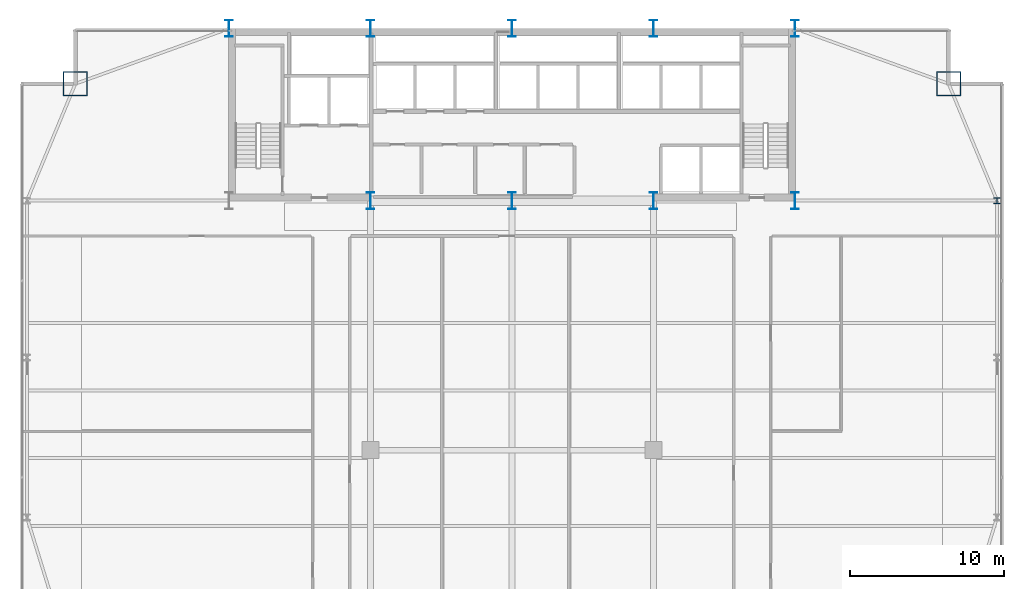
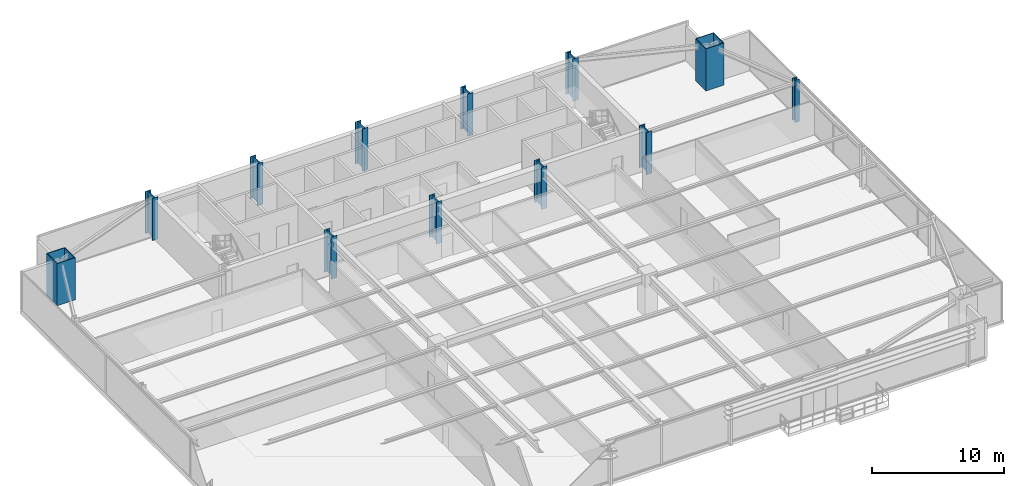
# One storey, part 2 of 31: 12 columns.
"""IFC4 building model written with IfcOpenShell, lengths in metres."""

import ifcopenshell
import ifcopenshell.guid

model = None  # the IFC model being written
_history = None  # IfcOwnerHistory: only IFC2X3 demands one
_inside = {}  # id of a spatial element -> (the spatial element, [elements in it])
_under = {}  # id of a project, library or spatial element -> (it, [spatial elements below it])
_declared = {}  # id of a project -> (the project, [libraries it declares])
_typed = {}  # id of a type object -> (the type object, [elements of that type])
_made_of = {}  # id of a material, layer set ... -> (it, [elements and type objects made of it])


def new_model(schema):
    """Start an empty IFC model of exactly this schema.

    Asked for "IFC4X3", IfcOpenShell would pick the latest addendum, in which some entities
    have other attributes; the version numbers below select the first issue.
    IFC2X3 requires an IfcOwnerHistory on every rooted entity: one is made here for all.
    """
    global model, _history
    if schema == "IFC4X3":
        model = ifcopenshell.file(schema_version=(4, 3, 0, 0))
    else:
        model = ifcopenshell.file(schema=schema)
    _inside.clear()
    _under.clear()
    _declared.clear()
    _typed.clear()
    _made_of.clear()
    _history = None
    if model.schema == "IFC2X3":
        org = make("IfcOrganization", Name="unknown")
        user = make(
            "IfcPersonAndOrganization",
            ThePerson=make("IfcPerson", FamilyName="unknown"),
            TheOrganization=org,
        )
        app = make(
            "IfcApplication",
            ApplicationDeveloper=org,
            Version="unknown",
            ApplicationFullName="unknown",
            ApplicationIdentifier="unknown",
        )
        _history = make(
            "IfcOwnerHistory",
            OwningUser=user,
            OwningApplication=app,
            ChangeAction="ADDED",
            CreationDate=0,
        )
    return model


def make(cls, **values):
    """One entity of the class cls with the attributes given. An attribute that is None is left unset."""
    return model.create_entity(
        cls, **{name: value for name, value in values.items() if value is not None}
    )


def rooted(cls, **values):
    """An entity with a GlobalId (a new one), such as an element, a storey or a relation."""
    return make(cls, GlobalId=ifcopenshell.guid.new(), OwnerHistory=_history, **values)


def si_unit(unit_type, name, prefix=None):
    """IfcSIUnit, for example si_unit("LENGTHUNIT", "METRE", prefix="MILLI")."""
    return make("IfcSIUnit", UnitType=unit_type, Prefix=prefix, Name=name)


def assignment(units):
    """IfcUnitAssignment: the units of a project."""
    return None if units is None else make("IfcUnitAssignment", Units=units)


def point(xyz):
    """IfcCartesianPoint."""
    return None if xyz is None else make("IfcCartesianPoint", Coordinates=xyz)


def direction(xyz):
    """IfcDirection."""
    return None if xyz is None else make("IfcDirection", DirectionRatios=xyz)


def frame(location, z_axis=None, x_axis=None):
    """IfcAxis2Placement3D, a coordinate frame: its origin and axes. An axis left out is left unset."""
    return make(
        "IfcAxis2Placement3D",
        Location=point(location),
        Axis=direction(z_axis),
        RefDirection=direction(x_axis),
    )


def frame_2d(location, x_axis=None):
    """IfcAxis2Placement2D, a coordinate frame in the plane: its origin and x axis."""
    return make(
        "IfcAxis2Placement2D", Location=point(location), RefDirection=direction(x_axis)
    )


def origin():
    """The frame at (0, 0, 0) with its axes left unset."""
    return frame((0.0, 0.0, 0.0))


def origin_2d():
    """The frame at (0, 0) in the plane with its x axis left unset."""
    return frame_2d((0.0, 0.0))


def place(relative_to, where):
    """IfcLocalPlacement: puts the frame where relative to a parent placement (None: the world)."""
    return make(
        "IfcLocalPlacement", PlacementRelTo=relative_to, RelativePlacement=where
    )


def context(
    kind, dimensions, precision=None, world=None, true_north=None, identifier=None
):
    """IfcGeometricRepresentationContext, for example the 3D "Model" context."""
    return make(
        "IfcGeometricRepresentationContext",
        ContextIdentifier=identifier,
        ContextType=kind,
        CoordinateSpaceDimension=dimensions,
        Precision=precision,
        WorldCoordinateSystem=world,
        TrueNorth=true_north,
    )


def subcontext(parent, identifier, kind, view, scale=None):
    """IfcGeometricRepresentationSubContext, for example "Body" below "Model"."""
    return make(
        "IfcGeometricRepresentationSubContext",
        ContextIdentifier=identifier,
        ContextType=kind,
        ParentContext=parent,
        TargetScale=scale,
        TargetView=view,
    )


def project(units=None, contexts=None):
    """IfcProject with its units and contexts."""
    return rooted(
        "IfcProject",
        Name="project",
        RepresentationContexts=contexts,
        UnitsInContext=assignment(units),
    )


def spatial(cls, under=None, at=None, **own):
    """A site, building, storey or space (cls), placed at a placement, below another one or the project."""
    s = rooted(cls, ObjectPlacement=at, **own)
    if under is not None:
        _under.setdefault(under.id(), (under, []))[1].append(s)
    return s


def profile(cls, at=None, kind="AREA", **sizes):
    """A parametric profile (cls). Its sizes go by their IFC names, for example OverallWidth=200.0."""
    return make(cls, ProfileType=kind, Position=at, **sizes)


def hollow_rectangle(**sizes):
    """IfcRectangleHollowProfileDef."""
    return profile("IfcRectangleHollowProfileDef", **sizes)


def i_section(**sizes):
    """IfcIShapeProfileDef."""
    return profile("IfcIShapeProfileDef", **sizes)


def extrude(swept, where, along, depth):
    """IfcExtrudedAreaSolid: the profile swept, set in the frame where, extruded along a direction by depth."""
    return make(
        "IfcExtrudedAreaSolid",
        SweptArea=swept,
        Position=where,
        ExtrudedDirection=direction(along),
        Depth=depth,
    )


def shape(context_of_items, identifier, shape_type, items):
    """IfcShapeRepresentation: the items that make up one representation, for example the "Body"."""
    return make(
        "IfcShapeRepresentation",
        ContextOfItems=context_of_items,
        RepresentationIdentifier=identifier,
        RepresentationType=shape_type,
        Items=items,
    )


def source(mapping_origin, context_of_items, identifier, shape_type, items):
    """IfcRepresentationMap: a shape defined once, which mapped items show again and again."""
    return make(
        "IfcRepresentationMap",
        MappingOrigin=mapping_origin,
        MappedRepresentation=shape(context_of_items, identifier, shape_type, items),
    )


def transform(
    local_origin,
    x_axis=None,
    y_axis=None,
    z_axis=None,
    scale=None,
    scale2=None,
    scale3=None,
    uniform=True,
):
    """IfcCartesianTransformationOperator3D, or its non-uniform kind. x_axis, y_axis, z_axis: its Axis1, 2, 3."""
    if uniform:
        return make(
            "IfcCartesianTransformationOperator3D",
            Axis1=direction(x_axis),
            Axis2=direction(y_axis),
            LocalOrigin=point(local_origin),
            Scale=scale,
            Axis3=direction(z_axis),
        )
    return make(
        "IfcCartesianTransformationOperator3DnonUniform",
        Axis1=direction(x_axis),
        Axis2=direction(y_axis),
        LocalOrigin=point(local_origin),
        Scale=scale,
        Axis3=direction(z_axis),
        Scale2=scale2,
        Scale3=scale3,
    )


def mapped(mapping_source, mapping_target):
    """IfcMappedItem: shows the shape of a source again, moved by a transform."""
    return make(
        "IfcMappedItem", MappingSource=mapping_source, MappingTarget=mapping_target
    )


def material(Name=None, Category=None):
    """IfcMaterial."""
    return make("IfcMaterial", Name=Name, Category=Category)


def material_profile(
    of_material, cross_section, Name=None, Category=None, Priority=None
):
    """IfcMaterialProfile: a cross section and its material."""
    return make(
        "IfcMaterialProfile",
        Name=Name,
        Material=of_material,
        Profile=cross_section,
        Priority=Priority,
        Category=Category,
    )


def profile_set(profiles, Name=None, composite=None):
    """IfcMaterialProfileSet."""
    return make(
        "IfcMaterialProfileSet",
        Name=Name,
        MaterialProfiles=profiles,
        CompositeProfile=composite,
    )


def made_of(thing, what):
    """Note that an element or type object is made of a material, layer set ...; save() writes the relation."""
    if what is not None:
        _made_of.setdefault(what.id(), (what, []))[1].append(thing)
    return thing


def type_object(cls, material=None, **own):
    """A type object (cls), such as IfcWallType, which elements share."""
    return made_of(rooted(cls, **own), material)


def type_shapes(of_type, sources):
    """Give a type object the sources (RepresentationMaps) that its elements show as mapped items."""
    of_type.RepresentationMaps = sources


def element(
    cls,
    number,
    at=None,
    inside=None,
    cuts=None,
    type_object=None,
    material=None,
    context=None,
    identifier="Body",
    shape_type=None,
    held_by="IfcProductDefinitionShape",
    body=None,
    shapes=None,
    **own,
):
    """One element of the class cls, such as IfcWall. Its Tag is "e" and its number.

    at: its placement. inside: the storey or other place that contains it. cuts: it is an
    opening in that element (IfcRelVoidsElement). A single representation is given by context,
    identifier, shape_type and body (its items); several are given by shapes. held_by: the class
    of the entity that holds the representations. save() writes the other relations.
    """
    e = rooted(cls, Tag="e%d" % number, ObjectPlacement=at, **own)
    if body is not None:
        shapes = [shape(context, identifier, shape_type, body)]
    if shapes is not None:
        e.Representation = make(held_by, Representations=shapes)
    if inside is not None:
        _inside.setdefault(inside.id(), (inside, []))[1].append(e)
    if cuts is not None:
        rooted(
            "IfcRelVoidsElement", RelatingBuildingElement=cuts, RelatedOpeningElement=e
        )
    if type_object is not None:
        _typed.setdefault(type_object.id(), (type_object, []))[1].append(e)
    return made_of(e, material)


def aggregate(whole, parts):
    """IfcRelAggregates: a whole, such as a stair, and the parts it consists of."""
    return rooted("IfcRelAggregates", RelatingObject=whole, RelatedObjects=parts)


def save(model, path):
    """Write the relations noted so far, then the file.

    IfcRelAggregates (storeys below a building ...), IfcRelContainedInSpatialStructure (elements
    in a storey), IfcRelDefinesByType, IfcRelAssociatesMaterial and IfcRelDeclares: one each for
    every whole, place, type object, material and project.
    """
    for whole, parts in _under.values():
        aggregate(whole, parts)
    for where, things in _inside.values():
        rooted(
            "IfcRelContainedInSpatialStructure",
            RelatedElements=things,
            RelatingStructure=where,
        )
    for kind, things in _typed.values():
        rooted("IfcRelDefinesByType", RelatedObjects=things, RelatingType=kind)
    for what, things in _made_of.values():
        rooted("IfcRelAssociatesMaterial", RelatedObjects=things, RelatingMaterial=what)
    for by, libraries in _declared.values():
        rooted("IfcRelDeclares", RelatingContext=by, RelatedDefinitions=libraries)
    model.write(path)


model = new_model("IFC4")

# Units and contexts
model_context = context("Model", 3, precision=1e-05, world=origin(), true_north=direction((0.0, 1.0)))
body_context = subcontext(model_context, "Body", "Model", "MODEL_VIEW")
ifc_project = project(units=[si_unit("LENGTHUNIT", "METRE"), si_unit("AREAUNIT", "SQUARE_METRE"), si_unit("VOLUMEUNIT", "CUBIC_METRE"), si_unit("PLANEANGLEUNIT", "RADIAN"), si_unit("MASSUNIT", "GRAM", prefix="KILO")], contexts=[model_context])

# Site, building, storey
site_placement = place(None, origin())
site = spatial("IfcSite", under=ifc_project, at=site_placement, CompositionType="ELEMENT")
building_placement = place(site_placement, origin())
building = spatial("IfcBuilding", under=site, at=building_placement, Name="Varnel Quay Broadcast Tower", CompositionType="ELEMENT")
storey_placement = place(building_placement, frame((0.0, 0.0, 35.39990234375)))
storey = spatial("IfcBuildingStorey", under=building, at=storey_placement, Name="L07", CompositionType="ELEMENT", Elevation=35.39990234375)

# Columns
ifc_material_1 = material(Name="Structural Steel CSA G40.21 350WT", Category="steel")
ifc_material_profile_1 = material_profile(ifc_material_1, i_section(OverallWidth=0.5, OverallDepth=1.10009765625, WebThickness=0.01806640625, FlangeThickness=0.031982421875, FilletRadius=0.01806640625, at=origin_2d()), Name="WWF1100X418")
ifc_profile_set_1 = profile_set([ifc_material_profile_1], Name="Structural Steel CSA G40.21 350WT")
column_type_1 = type_object("IfcColumnType", Name="Col_WWF1100X418", PredefinedType="COLUMN", material=ifc_profile_set_1)
shared_shape_1 = source(origin(), body_context, "Body", "SweptSolid", [
    extrude(i_section(OverallWidth=0.5, OverallDepth=1.10009765625, WebThickness=0.01806640625, FlangeThickness=0.031982421875, FilletRadius=0.01806640625, at=origin_2d()), origin(), (0.0, 0.0, 1.0), 3.900146484375),
])
type_shapes(column_type_1, [shared_shape_1])
for number, where, z_axis, x_axis, name in (
    (1, (15.60009765625, 46.800048828125, 0.0), (0.0, 0.0, 1.0), (1.0, 0.0, 0.0), "L07 Column CC-N1"),
    (2, (24.800048828125, 35.60009765625, 0.0), (0.0, 0.0, 1.0), (1.0, 0.0, 0.0), "L07 Column CC-S2"),
    (3, (24.800048828125, 46.800048828125, 0.0), (0.0, 0.0, 1.0), (1.0, 0.0, 0.0), "L07 Column CC-N2"),
    (4, (34.0, 35.60009765625, 0.0), (0.0, 0.0, 1.0), (1.0, 0.0, 0.0), "L07 Column CC-S3"),
    (5, (34.0, 46.800048828125, 0.0), (0.0, 0.0, 1.0), (1.0, 0.0, 0.0), "L07 Column CC-N3"),
    (6, (43.199951171875, 35.60009765625, 0.0), (0.0, 0.0, 1.0), (1.0, 0.0, 0.0), "L07 Column CC-S4"),
    (7, (43.199951171875, 46.800048828125, 0.0), (0.0, 0.0, 1.0), (1.0, 0.0, 0.0), "L07 Column CC-N4"),
    (8, (52.39990234375, 35.60009765625, 0.0), (0.0, 0.0, 1.0), (1.0, 0.0, 0.0), "L07 Column CC-S5"),
    (9, (52.39990234375, 46.800048828125, 0.0), (0.0, 0.0, 1.0), (1.0, 0.0, 0.0), "L07 Column CC-N5"),
):
    element("IfcColumn", number, at=place(storey_placement, frame(where, z_axis=z_axis, x_axis=x_axis)), inside=storey, type_object=column_type_1, Name=name, PredefinedType="COLUMN", context=body_context, shape_type="MappedRepresentation", body=[
        mapped(shared_shape_1, transform((0.0, 0.0, 0.0), x_axis=(1.0, 0.0, 0.0), y_axis=(0.0, 1.0, 0.0), z_axis=(0.0, 0.0, 1.0), scale=1.0)),
    ])
ifc_material_profile_2 = material_profile(ifc_material_1, hollow_rectangle(XDim=1.60009765625, YDim=1.60009765625, WallThickness=0.06005859375, at=origin_2d()), Name="BOX1600X1600X60")
ifc_profile_set_2 = profile_set([ifc_material_profile_2], Name="Structural Steel CSA G40.21 350WT")
column_type_2 = type_object("IfcColumnType", Name="Col_BOX1600X1600X60", PredefinedType="COLUMN", material=ifc_profile_set_2)
shared_shape_2 = source(origin(), body_context, "Body", "SweptSolid", [
    extrude(hollow_rectangle(XDim=1.60009765625, YDim=1.60009765625, WallThickness=0.06005859375, at=origin_2d()), origin(), (0.0, 0.0, 1.0), 3.900146484375),
])
type_shapes(column_type_2, [shared_shape_2])
for number, where, z_axis, x_axis, name in (
    (10, (62.39990234375, 43.199951171875, 0.0), (0.0, 0.0, 1.0), (1.0, 0.0, 0.0), "L07 Column MC-NE"),
    (11, (5.60009765625, 43.199951171875, 0.0), (0.0, 0.0, 1.0), (1.0, 0.0, 0.0), "L07 Column MC-NW"),
):
    element("IfcColumn", number, at=place(storey_placement, frame(where, z_axis=z_axis, x_axis=x_axis)), inside=storey, type_object=column_type_2, Name=name, PredefinedType="COLUMN", context=body_context, shape_type="MappedRepresentation", body=[
        mapped(shared_shape_2, transform((0.0, 0.0, 0.0), x_axis=(1.0, 0.0, 0.0), y_axis=(0.0, 1.0, 0.0), z_axis=(0.0, 0.0, 1.0), scale=1.0)),
    ])
ifc_material_2 = material(Name="Structural Steel CSA G40.21 350W", Category="steel")
ifc_material_profile_3 = material_profile(ifc_material_2, i_section(OverallWidth=0.404052734375, OverallDepth=0.406982421875, WebThickness=0.027099609375, FlangeThickness=0.043701171875, FilletRadius=0.01806640625, at=origin_2d()), Name="W360X347")
ifc_profile_set_3 = profile_set([ifc_material_profile_3], Name="Structural Steel CSA G40.21 350W")
column_type_3 = type_object("IfcColumnType", Name="Col_W360X347", PredefinedType="COLUMN", material=ifc_profile_set_3)
shared_shape_3 = source(origin(), body_context, "Body", "SweptSolid", [
    extrude(i_section(OverallWidth=0.404052734375, OverallDepth=0.406982421875, WebThickness=0.027099609375, FlangeThickness=0.043701171875, FilletRadius=0.01806640625, at=origin_2d()), origin(), (0.0, 0.0, 1.0), 3.900146484375),
])
type_shapes(column_type_3, [shared_shape_3])
column_placement = place(storey_placement, frame((65.550048828125, 35.60009765625, 0.0), z_axis=(0.0, 0.0, 1.0), x_axis=(1.0, 0.0, 0.0)))
element("IfcColumn", 12, at=column_placement, inside=storey, type_object=column_type_3, Name="L07 Column TC-E3", PredefinedType="COLUMN", context=body_context, shape_type="MappedRepresentation", body=[
    mapped(shared_shape_3, transform((0.0, 0.0, 0.0), x_axis=(1.0, 0.0, 0.0), y_axis=(0.0, 1.0, 0.0), z_axis=(0.0, 0.0, 1.0), scale=1.0)),
])

save(model, "model.ifc")
